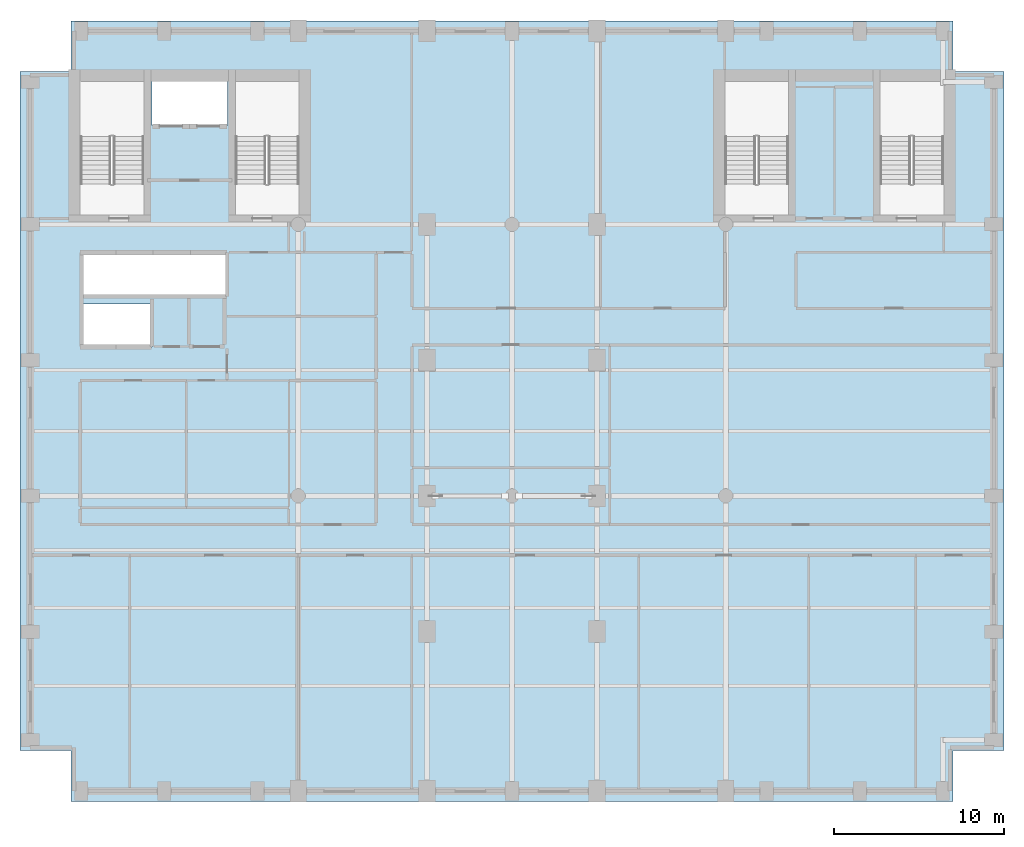
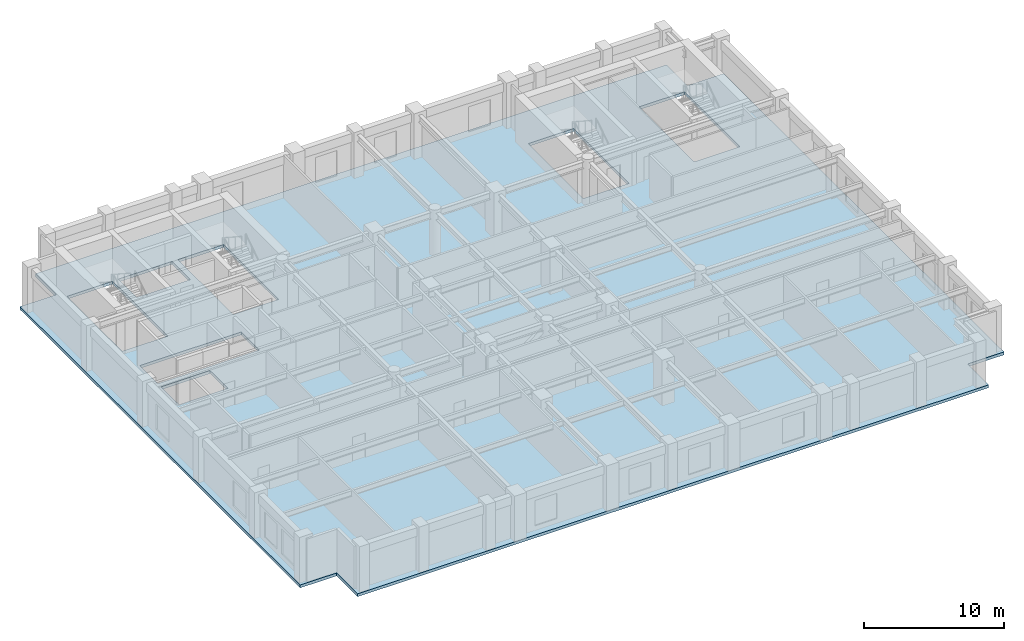
# One storey, part 3 of 10: 1 slab.
"""IFC4 building model written with IfcOpenShell, lengths in metres."""

from ifc_helpers import new_model, si_unit, direction, frame, origin, place, context, subcontext, project, spatial, polyline, outline, extrude, material, layer, layer_set, type_object, element, save


model = new_model("IFC4")

# Units and contexts
model_context = context("Model", 3, precision=1e-05, world=origin(), true_north=direction((0.0, 1.0)))
body_context = subcontext(model_context, "Body", "Model", "MODEL_VIEW")
ifc_project = project(units=[si_unit("LENGTHUNIT", "METRE"), si_unit("AREAUNIT", "SQUARE_METRE"), si_unit("VOLUMEUNIT", "CUBIC_METRE"), si_unit("PLANEANGLEUNIT", "RADIAN"), si_unit("MASSUNIT", "GRAM", prefix="KILO")], contexts=[model_context])

# Site, building, storey
site_placement = place(None, origin())
site = spatial("IfcSite", under=ifc_project, at=site_placement, CompositionType="ELEMENT")
building_placement = place(site_placement, origin())
building = spatial("IfcBuilding", under=site, at=building_placement, Name="Sulina Concourse Tower", CompositionType="ELEMENT")
storey_placement = place(building_placement, frame((0.0, 0.0, 206.60009765625)))
storey = spatial("IfcBuildingStorey", under=building, at=storey_placement, Name="L50", CompositionType="ELEMENT", Elevation=206.60009765625)

# Slab
ifc_material = material(Name="Concrete C50/60", Category="concrete")
ifc_layer = layer(ifc_material, 0.25)
ifc_layer_set = layer_set([ifc_layer], Name="Concrete C50/60")
slab_type = type_object("IfcSlabType", Name="High-Rise Composite Floor Slab 250mm", PredefinedType="FLOOR", material=ifc_layer_set)
slab_placement = place(storey_placement, frame((0.0, 0.0, -0.25)))
element("IfcSlab", 1, at=slab_placement, inside=storey, type_object=slab_type, Name="L50 structural floor slab", PredefinedType="FLOOR", context=body_context, shape_type="SweptSolid", body=[
    extrude(outline(polyline([(3.0, 0.0), (55.0, 0.0), (55.0, 3.0), (58.0, 3.0), (58.0, 43.0), (55.0, 43.0), (55.0, 46.0), (3.0, 46.0), (3.0, 43.0), (0.0, 43.0), (0.0, 3.0), (3.0, 3.0), (3.0, 0.0)]), holes=[polyline([(7.31005859375, 34.550048828125), (7.31005859375, 42.429931640625), (3.550048828125, 42.429931640625), (3.550048828125, 34.550048828125), (7.31005859375, 34.550048828125)]), polyline([(16.449951171875, 34.550048828125), (16.449951171875, 42.429931640625), (12.68994140625, 42.429931640625), (12.68994140625, 34.550048828125), (16.449951171875, 34.550048828125)]), polyline([(45.31005859375, 34.550048828125), (45.31005859375, 42.429931640625), (41.550048828125, 42.429931640625), (41.550048828125, 34.550048828125), (45.31005859375, 34.550048828125)]), polyline([(54.449951171875, 34.550048828125), (54.449951171875, 42.429931640625), (50.68994140625, 42.429931640625), (50.68994140625, 34.550048828125), (54.449951171875, 34.550048828125)]), polyline([(7.780029296875, 39.830078125), (12.219970703125, 39.830078125), (12.219970703125, 42.449951171875), (7.780029296875, 42.449951171875), (7.780029296875, 39.830078125)]), polyline([(3.739990234375, 26.780029296875), (7.77001953125, 26.780029296875), (7.77001953125, 29.320068359375), (3.739990234375, 29.320068359375), (3.739990234375, 26.780029296875)]), polyline([(3.739990234375, 29.780029296875), (12.10009765625, 29.780029296875), (12.10009765625, 32.3701171875), (3.739990234375, 32.3701171875), (3.739990234375, 29.780029296875)])]), origin(), (0.0, 0.0, 1.0), 0.25),
])

save(model, "model.ifc")
